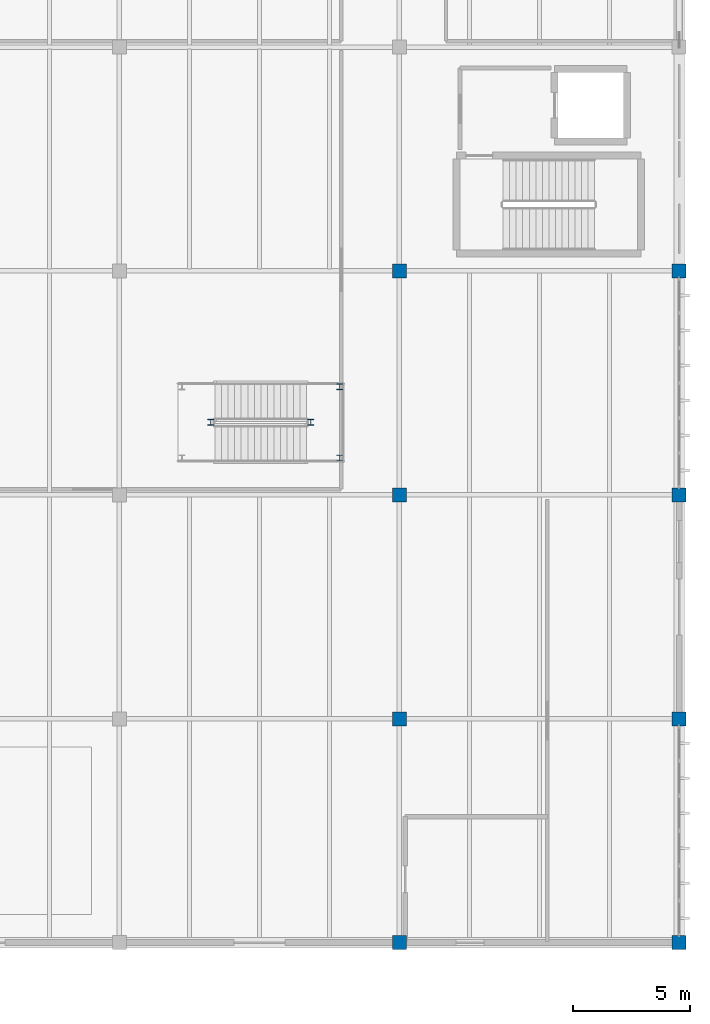
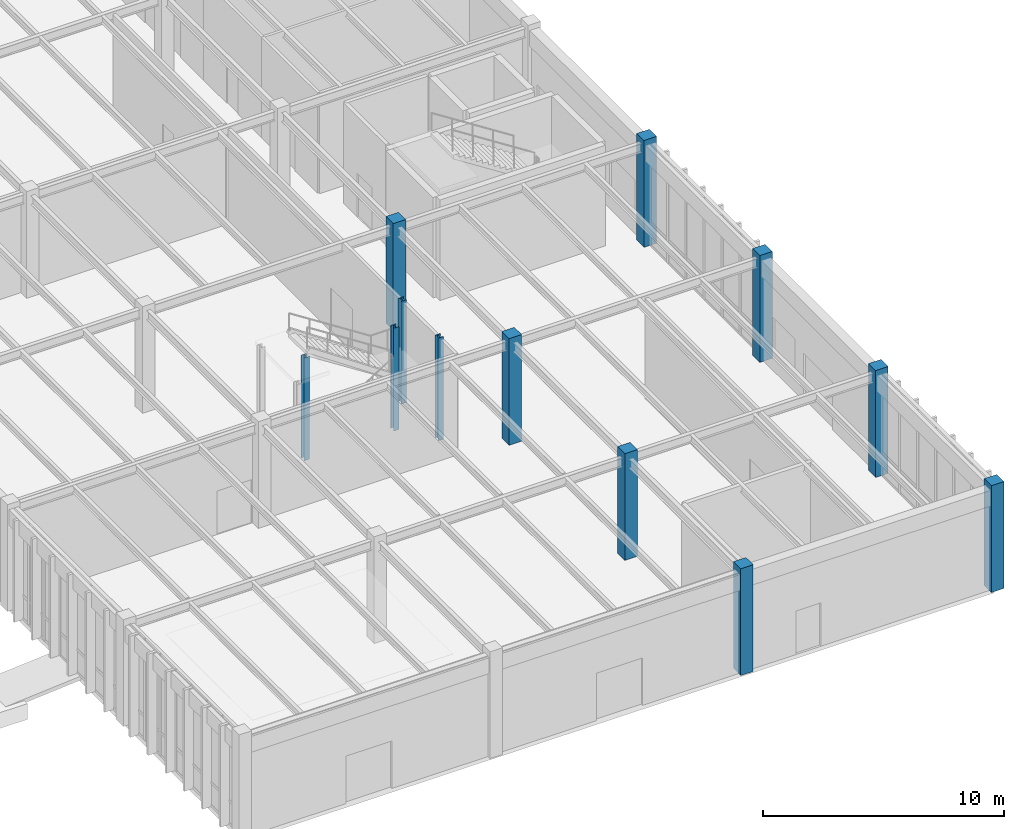
# One storey, part 18 of 188: 12 columns.
"""IFC4 building model written with IfcOpenShell, lengths in metres."""

from ifc_helpers import new_model, si_unit, direction, frame, origin, origin_2d, place, context, subcontext, project, spatial, rectangle, i_section, extrude, material, material_profile, profile_set, type_object, element, save


model = new_model("IFC4")

# Units and contexts
model_context = context("Model", 3, precision=1e-05, world=origin(), true_north=direction((0.0, 1.0)))
body_context = subcontext(model_context, "Body", "Model", "MODEL_VIEW")
ifc_project = project(units=[si_unit("LENGTHUNIT", "METRE"), si_unit("AREAUNIT", "SQUARE_METRE"), si_unit("VOLUMEUNIT", "CUBIC_METRE"), si_unit("PLANEANGLEUNIT", "RADIAN"), si_unit("MASSUNIT", "GRAM", prefix="KILO")], contexts=[model_context])

# Site, building, storey
site_placement = place(None, origin())
site = spatial("IfcSite", under=ifc_project, at=site_placement, CompositionType="ELEMENT")
building_placement = place(site_placement, origin())
building = spatial("IfcBuilding", under=site, at=building_placement, Name="Pandanus Reach Market Hall", CompositionType="ELEMENT")
storey_placement = place(building_placement, origin())
storey = spatial("IfcBuildingStorey", under=building, at=storey_placement, Name="L00", CompositionType="ELEMENT", Elevation=0.0)

# Columns
ifc_material_1 = material(Name="Concrete N40 (40 MPa)", Category="concrete")
ifc_material_profile_1 = material_profile(ifc_material_1, rectangle(XDim=0.60009765625, YDim=0.60009765625, at=origin_2d()), Name="RC600x600", Category="LoadBearing")
ifc_profile_set_1 = profile_set([ifc_material_profile_1], Name="Concrete N40 (40 MPa)")
column_type_1 = type_object("IfcColumnType", Name="CL-RC600-E", PredefinedType="COLUMN", material=ifc_profile_set_1)
for number, where, z_axis, x_axis, name in (
    (1, (168.0, 0.0, 0.0), (0.0, 0.0, 1.0), (1.0, 0.0, 0.0), "Column CL-RC600-E V4-168-0 L00"),
    (2, (180.0, 0.0, 0.0), (0.0, 0.0, 1.0), (1.0, 0.0, 0.0), "Column CL-RC600-E V4-180-0 L00"),
    (3, (180.0, 9.60009765625, 0.0), (0.0, 0.0, 1.0), (1.0, 0.0, 0.0), "Column CL-RC600-E V4-180-96 L00"),
    (4, (180.0, 19.199951171875, 0.0), (0.0, 0.0, 1.0), (1.0, 0.0, 0.0), "Column CL-RC600-E V4-180-192 L00"),
    (5, (180.0, 28.800048828125, 0.0), (0.0, 0.0, 1.0), (1.0, 0.0, 0.0), "Column CL-RC600-E V4-180-288 L00"),
):
    element("IfcColumn", number, at=place(storey_placement, frame(where, z_axis=z_axis, x_axis=x_axis)), inside=storey, type_object=column_type_1, Name=name, PredefinedType="COLUMN", context=body_context, shape_type="SweptSolid", body=[
        extrude(rectangle(XDim=0.60009765625, YDim=0.60009765625, at=origin_2d()), origin(), (0.0, 0.0, 1.0), 5.39990234375),
    ])
ifc_material_profile_2 = material_profile(ifc_material_1, rectangle(XDim=0.60009765625, YDim=0.60009765625, at=origin_2d()), Name="RC600x600", Category="LoadBearing")
ifc_profile_set_2 = profile_set([ifc_material_profile_2], Name="Concrete N40 (40 MPa)")
column_type_2 = type_object("IfcColumnType", Name="CL-RC600-I", PredefinedType="COLUMN", material=ifc_profile_set_2)
for number, where, z_axis, x_axis, name in (
    (6, (168.0, 9.60009765625, 0.0), (0.0, 0.0, 1.0), (1.0, 0.0, 0.0), "Column CL-RC600-I V4-168-96 L00"),
    (7, (168.0, 19.199951171875, 0.0), (0.0, 0.0, 1.0), (1.0, 0.0, 0.0), "Column CL-RC600-I V4-168-192 L00"),
    (8, (168.0, 28.800048828125, 0.0), (0.0, 0.0, 1.0), (1.0, 0.0, 0.0), "Column CL-RC600-I V4-168-288 L00"),
):
    element("IfcColumn", number, at=place(storey_placement, frame(where, z_axis=z_axis, x_axis=x_axis)), inside=storey, type_object=column_type_2, Name=name, PredefinedType="COLUMN", context=body_context, shape_type="SweptSolid", body=[
        extrude(rectangle(XDim=0.60009765625, YDim=0.60009765625, at=origin_2d()), origin(), (0.0, 0.0, 1.0), 5.39990234375),
    ])
ifc_material_2 = material(Name="Steel Grade 350 (350 MPa)", Category="steel")
ifc_material_profile_3 = material_profile(ifc_material_2, i_section(OverallWidth=0.25390625, OverallDepth=0.25390625, WebThickness=0.008544921875, FlangeThickness=0.01416015625, at=origin_2d()), Name="250UC72.9", Category="LoadBearing")
ifc_profile_set_3 = profile_set([ifc_material_profile_3], Name="Steel Grade 350 (350 MPa)")
column_type_3 = type_object("IfcColumnType", Name="CL-UC250-I", PredefinedType="COLUMN", material=ifc_profile_set_3)
for number, where, z_axis, x_axis, name in (
    (9, (165.43994140625, 20.780029296875, 0.0), (0.0, 0.0, 1.0), (1.0, 0.0, 0.0), "Feature stair landing post ST-11.L00.1"),
    (10, (165.43994140625, 23.840087890625, 0.0), (0.0, 0.0, 1.0), (1.0, 0.0, 0.0), "Feature stair landing post ST-11.L00.2"),
    (11, (164.199951171875, 22.31005859375, 0.0), (0.0, 0.0, 1.0), (1.0, 0.0, 0.0), "Feature stair landing post ST-11.L00.3"),
    (12, (159.919921875, 22.31005859375, 0.0), (0.0, 0.0, 1.0), (1.0, 0.0, 0.0), "Feature stair landing post ST-11.L00.6"),
):
    element("IfcColumn", number, at=place(storey_placement, frame(where, z_axis=z_axis, x_axis=x_axis)), inside=storey, type_object=column_type_3, Name=name, PredefinedType="COLUMN", context=body_context, shape_type="SweptSolid", body=[
        extrude(i_section(OverallWidth=0.25390625, OverallDepth=0.25390625, WebThickness=0.008544921875, FlangeThickness=0.01416015625, at=origin_2d()), origin(), (0.0, 0.0, 1.0), 5.199951171875),
    ])

save(model, "model.ifc")
